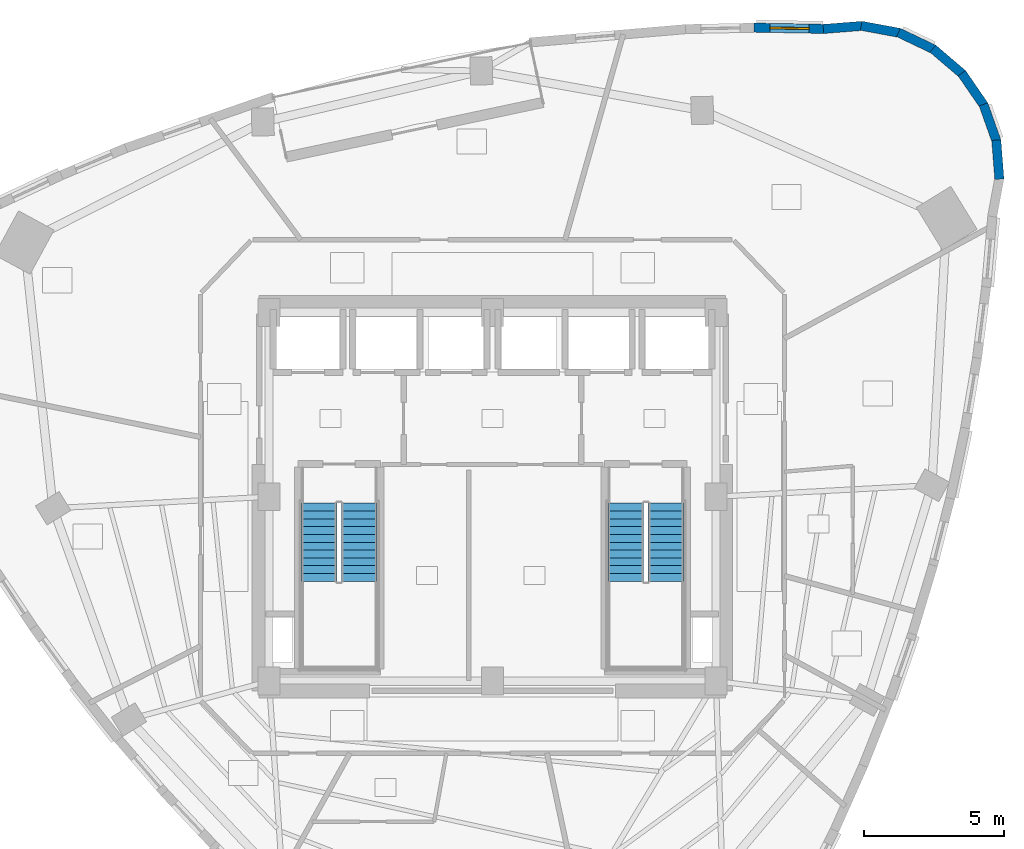
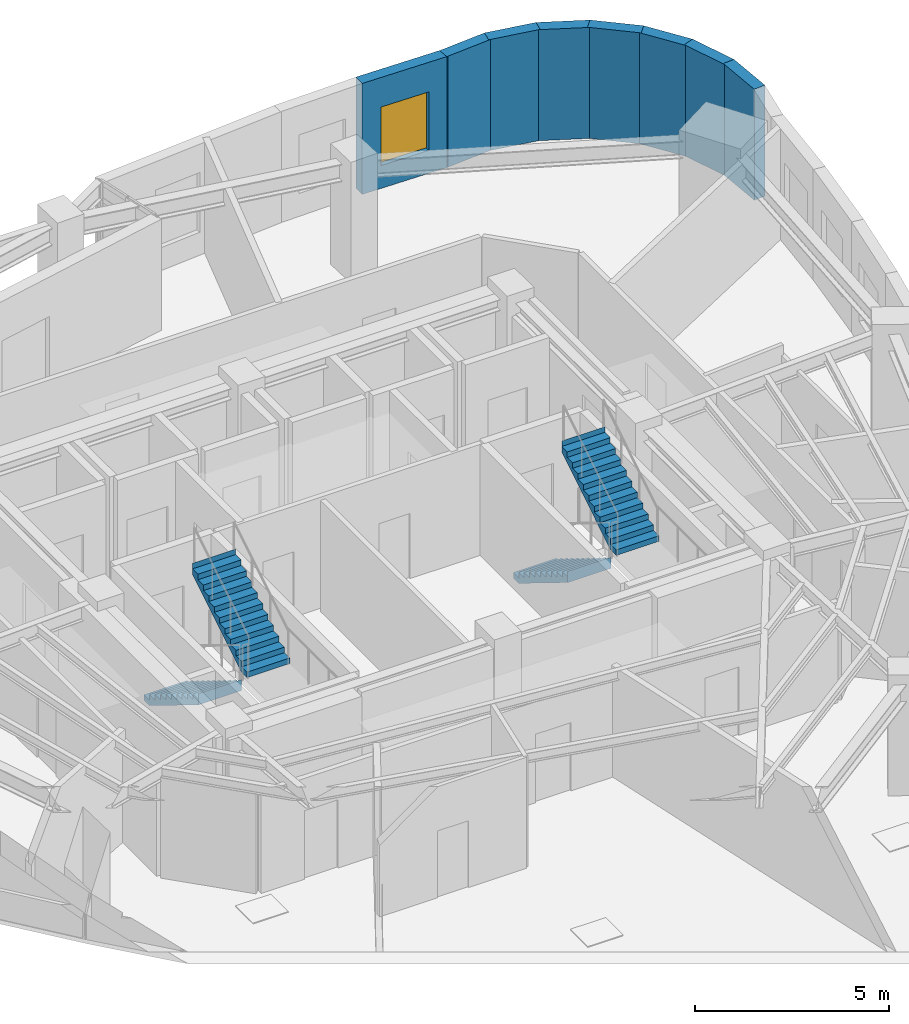
# One storey, part 7 of 10: 8 walls, 4 stair flights, 1 window, 1 opening, 2 elements without a shape of their own.
"""IFC4 building model written with IfcOpenShell, lengths in metres."""

from ifc_helpers import new_model, si_unit, direction, frame, frame_2d, origin, place, context, subcontext, project, spatial, polyline, rectangle, outline, extrude, material, layer, layer_set, type_object, element, fill, aggregate, save


model = new_model("IFC4")

# Units and contexts
model_context = context("Model", 3, precision=1e-05, world=origin(), true_north=direction((0.0, 1.0)))
body_context = subcontext(model_context, "Body", "Model", "MODEL_VIEW")
ifc_project = project(units=[si_unit("LENGTHUNIT", "METRE"), si_unit("AREAUNIT", "SQUARE_METRE"), si_unit("VOLUMEUNIT", "CUBIC_METRE"), si_unit("PLANEANGLEUNIT", "RADIAN"), si_unit("MASSUNIT", "GRAM", prefix="KILO")], contexts=[model_context])

# Site, building, storey
site_placement = place(None, origin())
site = spatial("IfcSite", under=ifc_project, at=site_placement, CompositionType="ELEMENT")
building_placement = place(site_placement, origin())
building = spatial("IfcBuilding", under=site, at=building_placement, Name="Ndelora Gate Hotel", CompositionType="ELEMENT")
storey_placement = place(building_placement, frame((0.0, 0.0, 251.14990234375)))
storey = spatial("IfcBuildingStorey", under=building, at=storey_placement, Name="L63", CompositionType="ELEMENT", Elevation=251.14990234375)

# Walls
ifc_material_1 = material(Name="Clay Brick Masonry", Category="masonry")
ifc_layer = layer(ifc_material_1, 0.330078125)
ifc_layer_set = layer_set([ifc_layer], Name="Clay Brick Masonry")
wall_type = type_object("IfcWallType", Name="WL-BRICK-330", PredefinedType="SOLIDWALL", material=ifc_layer_set)
wall_1_placement = place(storey_placement, frame((18.0361328125, 12.767822265625, 0.0), z_axis=(0.0, 0.0, 1.0), x_axis=(0.078407598082, -0.996921385347, 0.0)))
element("IfcWall", 1, at=wall_1_placement, inside=storey, type_object=wall_type, Name="L63 Tower Brick Pier-and-Spandrel Wall TWR-42", PredefinedType="SOLIDWALL", context=body_context, shape_type="SweptSolid", body=[
    extrude(rectangle(XDim=1.407470703125, YDim=0.330078125, at=frame_2d((0.70361328125, 0.0))), origin(), (0.0, 0.0, 1.0), 3.489990234375),
])
wall_2_placement = place(storey_placement, frame((17.57666015625, 14.046142578125, 0.0), z_axis=(0.0, 0.0, 1.0), x_axis=(0.333709077945, -0.942676111555, 0.0)))
element("IfcWall", 2, at=wall_2_placement, inside=storey, type_object=wall_type, Name="L63 Tower Brick Pier-and-Spandrel Wall TWR-43", PredefinedType="SOLIDWALL", context=body_context, shape_type="SweptSolid", body=[
    extrude(rectangle(XDim=1.40771484375, YDim=0.330078125, at=frame_2d((0.703857421875, 0.0))), origin(), (0.0, 0.0, 1.0), 3.489990234375),
])
for number, where, z_axis, x_axis, name in (
    (3, (16.802001953125, 15.161865234375, 0.0), (0.0, 0.0, 1.0), (0.566374209812, -0.824148199331, 0.0), "L63 Tower Brick Pier-and-Spandrel Wall TWR-44"),
    (4, (15.764892578125, 16.0390625, 0.0), (0.0, 0.0, 1.0), (0.760430782952, -0.64941898982, 0.0), "L63 Tower Brick Pier-and-Spandrel Wall TWR-45"),
):
    element("IfcWall", number, at=place(storey_placement, frame(where, z_axis=z_axis, x_axis=x_axis)), inside=storey, type_object=wall_type, Name=name, PredefinedType="SOLIDWALL", context=body_context, shape_type="SweptSolid", body=[
        extrude(rectangle(XDim=1.407470703125, YDim=0.330078125, at=frame_2d((0.70361328125, 0.0))), origin(), (0.0, 0.0, 1.0), 3.489990234375),
    ])
for number, where, z_axis, x_axis, name in (
    (5, (14.535888671875, 16.6181640625, 0.0), (0.0, 0.0, 1.0), (0.902597460438, -0.43048556818, 0.0), "L63 Tower Brick Pier-and-Spandrel Wall TWR-46"),
    (6, (13.19921875, 16.859375, 0.0), (0.0, 0.0, 1.0), (0.983245180137, -0.182288002174, 0.0), "L63 Tower Brick Pier-and-Spandrel Wall TWR-47"),
):
    element("IfcWall", number, at=place(storey_placement, frame(where, z_axis=z_axis, x_axis=x_axis)), inside=storey, type_object=wall_type, Name=name, PredefinedType="SOLIDWALL", context=body_context, shape_type="SweptSolid", body=[
        extrude(rectangle(XDim=1.40771484375, YDim=0.330078125, at=frame_2d((0.703857421875, 0.0))), origin(), (0.0, 0.0, 1.0), 3.489990234375),
    ])
wall_3_placement = place(storey_placement, frame((11.845703125, 16.74609375, 0.0), z_axis=(0.0, 0.0, 1.0), x_axis=(0.996907811278, 0.07857999626, 0.0)))
element("IfcWall", 7, at=wall_3_placement, inside=storey, type_object=wall_type, Name="L63 Tower Brick Pier-and-Spandrel Wall TWR-48", PredefinedType="SOLIDWALL", context=body_context, shape_type="SweptSolid", body=[
    extrude(rectangle(XDim=1.407470703125, YDim=0.330078125, at=frame_2d((0.70361328125, 0.0))), origin(), (0.0, 0.0, 1.0), 3.489990234375),
])

# Wall, opening, window
wall_4_placement = place(storey_placement, frame((9.3671875, 16.793701171875, 0.0), z_axis=(0.0, 0.0, 1.0), x_axis=(0.999835261809, -0.018150736696, 0.0)))
wall_4 = element("IfcWall", 8, at=wall_4_placement, inside=storey, type_object=wall_type, Name="L63 Tower Brick Pier-and-Spandrel Wall TWR-49", PredefinedType="SOLIDWALL", context=body_context, shape_type="SweptSolid", body=[
    extrude(rectangle(XDim=2.52880859375, YDim=0.330078125, at=frame_2d((1.264404296875, 0.0))), origin(), (0.0, 0.0, 1.0), 3.489990234375),
])
opening_placement = place(wall_4_placement, frame((0.564453125, 0.0, 0.719970703125)))
opening = element("IfcOpeningElement", 9, at=opening_placement, cuts=wall_4, Name="Opening W02", PredefinedType="OPENING", context=body_context, shape_type="SweptSolid", body=[
    extrude(rectangle(XDim=1.39990234375, YDim=1.840087890625, at=frame_2d((0.699951171875, 0.919921875))), frame((0.0, 0.175048828125, 0.0), z_axis=(0.0, -1.0, 0.0), x_axis=(1.0, 0.0, 0.0)), (0.0, 0.0, 1.0), 0.35009765625),
])
ifc_material_2 = material(Name="Insulated Low-E Double Glazing in Bronze Aluminium Frame", Category="aluminium")
window_type = type_object("IfcWindowType", Name="WN-DEEP-1400", PartitioningType="SINGLE_PANEL", PredefinedType="WINDOW", material=ifc_material_2)
window_placement = place(opening_placement, origin())
window = element("IfcWindow", 10, at=window_placement, inside=storey, type_object=window_type, Name="L63 Deep-Set Brick-Pier Window W02", OverallHeight=1.840087890625, OverallWidth=1.39990234375, PartitioningType="SINGLE_PANEL", PredefinedType="WINDOW", context=body_context, shape_type="SweptSolid", body=[
    extrude(rectangle(XDim=1.39990234375, YDim=1.840087890625, at=frame_2d((0.699951171875, 0.919921875))), frame((0.0, 0.030029296875, 0.0), z_axis=(0.0, -1.0, 0.0), x_axis=(1.0, 0.0, 0.0)), (0.0, 0.0, 1.0), 0.06005859375),
])
fill(opening, window)

# Stair, stair flights
ifc_material_3 = material(Name="Precast concrete C40/50", Category="concrete")
stair_type = type_object("IfcStairType", Name="STR-DOG-CORE", PredefinedType="HALF_TURN_STAIR", material=ifc_material_3)
stair_1_placement = place(storey_placement, origin())
stair_1 = element("IfcStair", 11, at=stair_1_placement, inside=storey, type_object=stair_type, Name="L63 Protected Core Exit Stair ST4", PredefinedType="HALF_TURN_STAIR")
stair_flight_type = type_object("IfcStairFlightType", Name="STF-PRECAST", PredefinedType="STRAIGHT", material=ifc_material_3)
stair_flight_1_placement = place(storey_placement, frame((-6.2099609375, -0.22998046875, 0.0), z_axis=(0.0, 0.0, 1.0), x_axis=(0.0, -1.0, 0.0)))
stair_flight_1 = element("IfcStairFlight", 12, at=stair_flight_1_placement, type_object=stair_flight_type, Name="ST4 flight 1", NumberOfRisers=11, NumberOfTreads=10, PredefinedType="STRAIGHT", RiserHeight=0.172727273, TreadLength=0.28, context=body_context, shape_type="SweptSolid", body=[
    extrude(outline(polyline([(-0.00048828125, 0.0), (-0.00048828125, 0.172607421875), (0.0, 0.172607421875), (0.280029296875, 0.172607421875), (0.280029296875, 0.345458984375), (0.56005859375, 0.345458984375), (0.56005859375, 0.51806640625), (0.840087890625, 0.51806640625), (0.840087890625, 0.69091796875), (1.1201171875, 0.69091796875), (1.1201171875, 0.863525390625), (1.39990234375, 0.863525390625), (1.39990234375, 1.036376953125), (1.679931640625, 1.036376953125), (1.679931640625, 1.208984375), (1.9599609375, 1.208984375), (1.9599609375, 1.3818359375), (2.239990234375, 1.3818359375), (2.239990234375, 1.554443359375), (2.52001953125, 1.554443359375), (2.52001953125, 1.727294921875), (2.800048828125, 1.727294921875), (2.800048828125, 1.89990234375), (2.800537109375, 1.89990234375), (2.800537109375, 1.719970703125), (2.800048828125, 1.551025390625), (0.285400390625, 0.0), (-0.00048828125, 0.0)])), frame((0.0, 0.64013671875, 0.0), z_axis=(0.0, -1.0, 0.0), x_axis=(1.0, 0.0, 0.0)), (0.0, 0.0, 1.0), 1.280029296875),
])
stair_flight_2_placement = place(storey_placement, frame((-4.77001953125, -3.030029296875, 1.900146484375), z_axis=(0.0, 0.0, 1.0), x_axis=(0.0, 1.0, 0.0)))
stair_flight_2 = element("IfcStairFlight", 13, at=stair_flight_2_placement, type_object=stair_flight_type, Name="ST4 flight 2", NumberOfRisers=11, NumberOfTreads=10, PredefinedType="STRAIGHT", RiserHeight=0.172727273, TreadLength=0.28, context=body_context, shape_type="SweptSolid", body=[
    extrude(outline(polyline([(-0.00048828125, 0.0), (-0.00048828125, 0.172607421875), (0.0, 0.172607421875), (0.280029296875, 0.172607421875), (0.280029296875, 0.345458984375), (0.56005859375, 0.345458984375), (0.56005859375, 0.51806640625), (0.840087890625, 0.51806640625), (0.840087890625, 0.69091796875), (1.1201171875, 0.69091796875), (1.1201171875, 0.863525390625), (1.39990234375, 0.863525390625), (1.39990234375, 1.036376953125), (1.679931640625, 1.036376953125), (1.679931640625, 1.208984375), (1.9599609375, 1.208984375), (1.9599609375, 1.3818359375), (2.239990234375, 1.3818359375), (2.239990234375, 1.554443359375), (2.52001953125, 1.554443359375), (2.52001953125, 1.727294921875), (2.800048828125, 1.727294921875), (2.800048828125, 1.89990234375), (2.800537109375, 1.89990234375), (2.800537109375, 1.719970703125), (2.800048828125, 1.551025390625), (0.285400390625, 0.0), (-0.00048828125, 0.0)])), frame((0.0, 0.64013671875, 0.0), z_axis=(0.0, -1.0, 0.0), x_axis=(1.0, 0.0, 0.0)), (0.0, 0.0, 1.0), 1.280029296875),
])
aggregate(stair_1, [stair_flight_1, stair_flight_2])

stair_2_placement = place(storey_placement, origin())
stair_2 = element("IfcStair", 14, at=stair_2_placement, inside=storey, type_object=stair_type, Name="L63 Protected Core Exit Stair ST5", PredefinedType="HALF_TURN_STAIR")
stair_flight_3_placement = place(storey_placement, frame((4.77001953125, -0.22998046875, 0.0), z_axis=(0.0, 0.0, 1.0), x_axis=(0.0, -1.0, 0.0)))
stair_flight_3 = element("IfcStairFlight", 15, at=stair_flight_3_placement, type_object=stair_flight_type, Name="ST5 flight 1", NumberOfRisers=11, NumberOfTreads=10, PredefinedType="STRAIGHT", RiserHeight=0.172727273, TreadLength=0.28, context=body_context, shape_type="SweptSolid", body=[
    extrude(outline(polyline([(-0.00048828125, 0.0), (-0.00048828125, 0.172607421875), (0.0, 0.172607421875), (0.280029296875, 0.172607421875), (0.280029296875, 0.345458984375), (0.56005859375, 0.345458984375), (0.56005859375, 0.51806640625), (0.840087890625, 0.51806640625), (0.840087890625, 0.69091796875), (1.1201171875, 0.69091796875), (1.1201171875, 0.863525390625), (1.39990234375, 0.863525390625), (1.39990234375, 1.036376953125), (1.679931640625, 1.036376953125), (1.679931640625, 1.208984375), (1.9599609375, 1.208984375), (1.9599609375, 1.3818359375), (2.239990234375, 1.3818359375), (2.239990234375, 1.554443359375), (2.52001953125, 1.554443359375), (2.52001953125, 1.727294921875), (2.800048828125, 1.727294921875), (2.800048828125, 1.89990234375), (2.800537109375, 1.89990234375), (2.800537109375, 1.719970703125), (2.800048828125, 1.551025390625), (0.285400390625, 0.0), (-0.00048828125, 0.0)])), frame((0.0, 0.64013671875, 0.0), z_axis=(0.0, -1.0, 0.0), x_axis=(1.0, 0.0, 0.0)), (0.0, 0.0, 1.0), 1.280029296875),
])
stair_flight_4_placement = place(storey_placement, frame((6.2099609375, -3.030029296875, 1.900146484375), z_axis=(0.0, 0.0, 1.0), x_axis=(0.0, 1.0, 0.0)))
stair_flight_4 = element("IfcStairFlight", 16, at=stair_flight_4_placement, type_object=stair_flight_type, Name="ST5 flight 2", NumberOfRisers=11, NumberOfTreads=10, PredefinedType="STRAIGHT", RiserHeight=0.172727273, TreadLength=0.28, context=body_context, shape_type="SweptSolid", body=[
    extrude(outline(polyline([(-0.00048828125, 0.0), (-0.00048828125, 0.172607421875), (0.0, 0.172607421875), (0.280029296875, 0.172607421875), (0.280029296875, 0.345458984375), (0.56005859375, 0.345458984375), (0.56005859375, 0.51806640625), (0.840087890625, 0.51806640625), (0.840087890625, 0.69091796875), (1.1201171875, 0.69091796875), (1.1201171875, 0.863525390625), (1.39990234375, 0.863525390625), (1.39990234375, 1.036376953125), (1.679931640625, 1.036376953125), (1.679931640625, 1.208984375), (1.9599609375, 1.208984375), (1.9599609375, 1.3818359375), (2.239990234375, 1.3818359375), (2.239990234375, 1.554443359375), (2.52001953125, 1.554443359375), (2.52001953125, 1.727294921875), (2.800048828125, 1.727294921875), (2.800048828125, 1.89990234375), (2.800537109375, 1.89990234375), (2.800537109375, 1.719970703125), (2.800048828125, 1.551025390625), (0.285400390625, 0.0), (-0.00048828125, 0.0)])), frame((0.0, 0.64013671875, 0.0), z_axis=(0.0, -1.0, 0.0), x_axis=(1.0, 0.0, 0.0)), (0.0, 0.0, 1.0), 1.280029296875),
])
aggregate(stair_2, [stair_flight_3, stair_flight_4])

save(model, "model.ifc")
